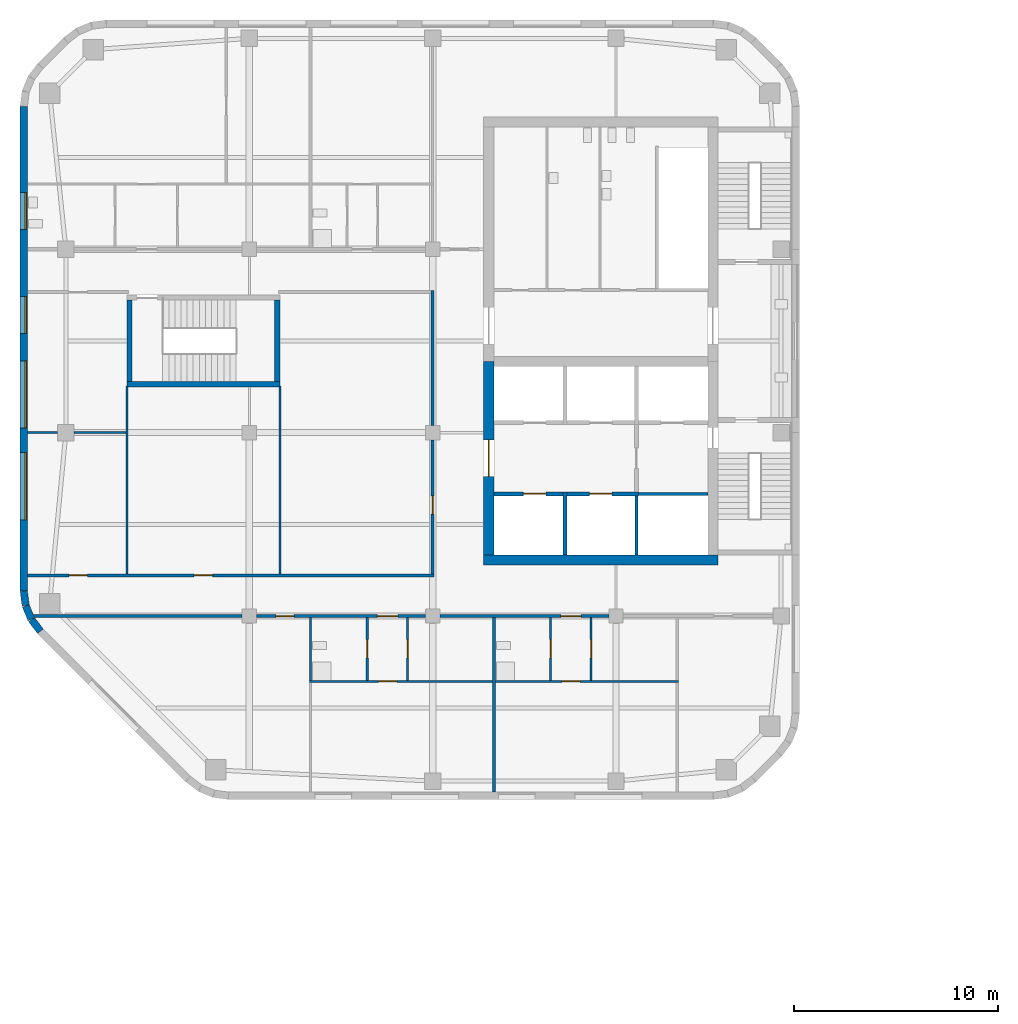
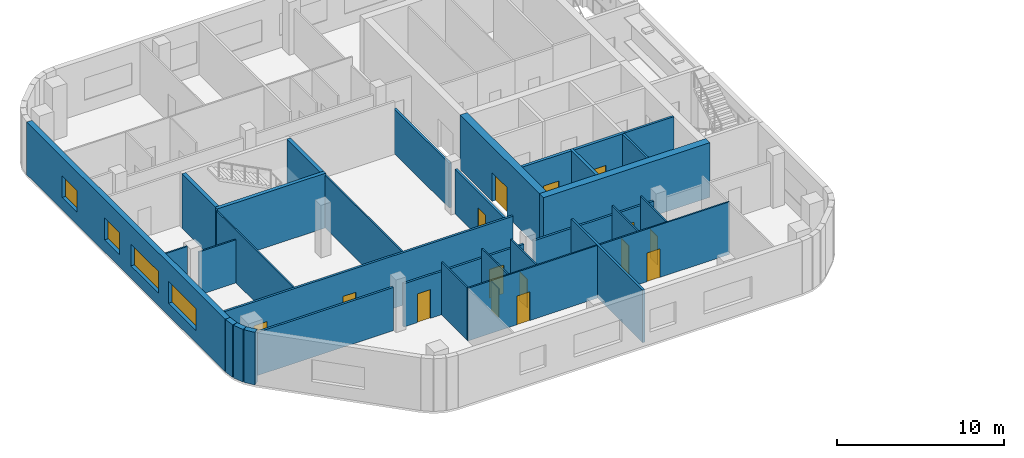
# One storey, part 5 of 15: 32 walls, 15 doors, 4 windows, 19 openings.
"""IFC4 building model written with IfcOpenShell, lengths in metres."""

import ifcopenshell
import ifcopenshell.guid

model = None  # the IFC model being written
_history = None  # IfcOwnerHistory: only IFC2X3 demands one
_inside = {}  # id of a spatial element -> (the spatial element, [elements in it])
_under = {}  # id of a project, library or spatial element -> (it, [spatial elements below it])
_declared = {}  # id of a project -> (the project, [libraries it declares])
_typed = {}  # id of a type object -> (the type object, [elements of that type])
_made_of = {}  # id of a material, layer set ... -> (it, [elements and type objects made of it])


def new_model(schema):
    """Start an empty IFC model of exactly this schema.

    Asked for "IFC4X3", IfcOpenShell would pick the latest addendum, in which some entities
    have other attributes; the version numbers below select the first issue.
    IFC2X3 requires an IfcOwnerHistory on every rooted entity: one is made here for all.
    """
    global model, _history
    if schema == "IFC4X3":
        model = ifcopenshell.file(schema_version=(4, 3, 0, 0))
    else:
        model = ifcopenshell.file(schema=schema)
    _inside.clear()
    _under.clear()
    _declared.clear()
    _typed.clear()
    _made_of.clear()
    _history = None
    if model.schema == "IFC2X3":
        org = make("IfcOrganization", Name="unknown")
        user = make(
            "IfcPersonAndOrganization",
            ThePerson=make("IfcPerson", FamilyName="unknown"),
            TheOrganization=org,
        )
        app = make(
            "IfcApplication",
            ApplicationDeveloper=org,
            Version="unknown",
            ApplicationFullName="unknown",
            ApplicationIdentifier="unknown",
        )
        _history = make(
            "IfcOwnerHistory",
            OwningUser=user,
            OwningApplication=app,
            ChangeAction="ADDED",
            CreationDate=0,
        )
    return model


def make(cls, **values):
    """One entity of the class cls with the attributes given. An attribute that is None is left unset."""
    return model.create_entity(
        cls, **{name: value for name, value in values.items() if value is not None}
    )


def rooted(cls, **values):
    """An entity with a GlobalId (a new one), such as an element, a storey or a relation."""
    return make(cls, GlobalId=ifcopenshell.guid.new(), OwnerHistory=_history, **values)


def si_unit(unit_type, name, prefix=None):
    """IfcSIUnit, for example si_unit("LENGTHUNIT", "METRE", prefix="MILLI")."""
    return make("IfcSIUnit", UnitType=unit_type, Prefix=prefix, Name=name)


def assignment(units):
    """IfcUnitAssignment: the units of a project."""
    return None if units is None else make("IfcUnitAssignment", Units=units)


def point(xyz):
    """IfcCartesianPoint."""
    return None if xyz is None else make("IfcCartesianPoint", Coordinates=xyz)


def direction(xyz):
    """IfcDirection."""
    return None if xyz is None else make("IfcDirection", DirectionRatios=xyz)


def frame(location, z_axis=None, x_axis=None):
    """IfcAxis2Placement3D, a coordinate frame: its origin and axes. An axis left out is left unset."""
    return make(
        "IfcAxis2Placement3D",
        Location=point(location),
        Axis=direction(z_axis),
        RefDirection=direction(x_axis),
    )


def frame_2d(location, x_axis=None):
    """IfcAxis2Placement2D, a coordinate frame in the plane: its origin and x axis."""
    return make(
        "IfcAxis2Placement2D", Location=point(location), RefDirection=direction(x_axis)
    )


def origin():
    """The frame at (0, 0, 0) with its axes left unset."""
    return frame((0.0, 0.0, 0.0))


def place(relative_to, where):
    """IfcLocalPlacement: puts the frame where relative to a parent placement (None: the world)."""
    return make(
        "IfcLocalPlacement", PlacementRelTo=relative_to, RelativePlacement=where
    )


def context(
    kind, dimensions, precision=None, world=None, true_north=None, identifier=None
):
    """IfcGeometricRepresentationContext, for example the 3D "Model" context."""
    return make(
        "IfcGeometricRepresentationContext",
        ContextIdentifier=identifier,
        ContextType=kind,
        CoordinateSpaceDimension=dimensions,
        Precision=precision,
        WorldCoordinateSystem=world,
        TrueNorth=true_north,
    )


def subcontext(parent, identifier, kind, view, scale=None):
    """IfcGeometricRepresentationSubContext, for example "Body" below "Model"."""
    return make(
        "IfcGeometricRepresentationSubContext",
        ContextIdentifier=identifier,
        ContextType=kind,
        ParentContext=parent,
        TargetScale=scale,
        TargetView=view,
    )


def project(units=None, contexts=None):
    """IfcProject with its units and contexts."""
    return rooted(
        "IfcProject",
        Name="project",
        RepresentationContexts=contexts,
        UnitsInContext=assignment(units),
    )


def spatial(cls, under=None, at=None, **own):
    """A site, building, storey or space (cls), placed at a placement, below another one or the project."""
    s = rooted(cls, ObjectPlacement=at, **own)
    if under is not None:
        _under.setdefault(under.id(), (under, []))[1].append(s)
    return s


def profile(cls, at=None, kind="AREA", **sizes):
    """A parametric profile (cls). Its sizes go by their IFC names, for example OverallWidth=200.0."""
    return make(cls, ProfileType=kind, Position=at, **sizes)


def rectangle(**sizes):
    """IfcRectangleProfileDef."""
    return profile("IfcRectangleProfileDef", **sizes)


def extrude(swept, where, along, depth):
    """IfcExtrudedAreaSolid: the profile swept, set in the frame where, extruded along a direction by depth."""
    return make(
        "IfcExtrudedAreaSolid",
        SweptArea=swept,
        Position=where,
        ExtrudedDirection=direction(along),
        Depth=depth,
    )


def shape(context_of_items, identifier, shape_type, items):
    """IfcShapeRepresentation: the items that make up one representation, for example the "Body"."""
    return make(
        "IfcShapeRepresentation",
        ContextOfItems=context_of_items,
        RepresentationIdentifier=identifier,
        RepresentationType=shape_type,
        Items=items,
    )


def material(Name=None, Category=None):
    """IfcMaterial."""
    return make("IfcMaterial", Name=Name, Category=Category)


def layer(
    of_material, thickness, ventilated=None, Name=None, Category=None, Priority=None
):
    """IfcMaterialLayer: one layer of a wall or slab, of a material (None: an air gap)."""
    return make(
        "IfcMaterialLayer",
        Material=of_material,
        LayerThickness=thickness,
        IsVentilated=ventilated,
        Name=Name,
        Category=Category,
        Priority=Priority,
    )


def layer_set(layers, Name=None):
    """IfcMaterialLayerSet."""
    return make("IfcMaterialLayerSet", MaterialLayers=layers, LayerSetName=Name)


def made_of(thing, what):
    """Note that an element or type object is made of a material, layer set ...; save() writes the relation."""
    if what is not None:
        _made_of.setdefault(what.id(), (what, []))[1].append(thing)
    return thing


def type_object(cls, material=None, **own):
    """A type object (cls), such as IfcWallType, which elements share."""
    return made_of(rooted(cls, **own), material)


def element(
    cls,
    number,
    at=None,
    inside=None,
    cuts=None,
    type_object=None,
    material=None,
    context=None,
    identifier="Body",
    shape_type=None,
    held_by="IfcProductDefinitionShape",
    body=None,
    shapes=None,
    **own,
):
    """One element of the class cls, such as IfcWall. Its Tag is "e" and its number.

    at: its placement. inside: the storey or other place that contains it. cuts: it is an
    opening in that element (IfcRelVoidsElement). A single representation is given by context,
    identifier, shape_type and body (its items); several are given by shapes. held_by: the class
    of the entity that holds the representations. save() writes the other relations.
    """
    e = rooted(cls, Tag="e%d" % number, ObjectPlacement=at, **own)
    if body is not None:
        shapes = [shape(context, identifier, shape_type, body)]
    if shapes is not None:
        e.Representation = make(held_by, Representations=shapes)
    if inside is not None:
        _inside.setdefault(inside.id(), (inside, []))[1].append(e)
    if cuts is not None:
        rooted(
            "IfcRelVoidsElement", RelatingBuildingElement=cuts, RelatedOpeningElement=e
        )
    if type_object is not None:
        _typed.setdefault(type_object.id(), (type_object, []))[1].append(e)
    return made_of(e, material)


def fill(opening, filler):
    """IfcRelFillsElement: the door or window that sits in an opening."""
    return rooted(
        "IfcRelFillsElement",
        RelatingOpeningElement=opening,
        RelatedBuildingElement=filler,
    )


def aggregate(whole, parts):
    """IfcRelAggregates: a whole, such as a stair, and the parts it consists of."""
    return rooted("IfcRelAggregates", RelatingObject=whole, RelatedObjects=parts)


def save(model, path):
    """Write the relations noted so far, then the file.

    IfcRelAggregates (storeys below a building ...), IfcRelContainedInSpatialStructure (elements
    in a storey), IfcRelDefinesByType, IfcRelAssociatesMaterial and IfcRelDeclares: one each for
    every whole, place, type object, material and project.
    """
    for whole, parts in _under.values():
        aggregate(whole, parts)
    for where, things in _inside.values():
        rooted(
            "IfcRelContainedInSpatialStructure",
            RelatedElements=things,
            RelatingStructure=where,
        )
    for kind, things in _typed.values():
        rooted("IfcRelDefinesByType", RelatedObjects=things, RelatingType=kind)
    for what, things in _made_of.values():
        rooted("IfcRelAssociatesMaterial", RelatedObjects=things, RelatingMaterial=what)
    for by, libraries in _declared.values():
        rooted("IfcRelDeclares", RelatingContext=by, RelatedDefinitions=libraries)
    model.write(path)


model = new_model("IFC4")

# Units and contexts
model_context = context("Model", 3, precision=1e-05, world=origin(), true_north=direction((0.0, 1.0)))
body_context = subcontext(model_context, "Body", "Model", "MODEL_VIEW")
ifc_project = project(units=[si_unit("LENGTHUNIT", "METRE"), si_unit("AREAUNIT", "SQUARE_METRE"), si_unit("VOLUMEUNIT", "CUBIC_METRE"), si_unit("PLANEANGLEUNIT", "RADIAN"), si_unit("MASSUNIT", "GRAM", prefix="KILO")], contexts=[model_context])

# Site, building, storey
site_placement = place(None, origin())
site = spatial("IfcSite", under=ifc_project, at=site_placement, CompositionType="ELEMENT")
building_placement = place(site_placement, origin())
building = spatial("IfcBuilding", under=site, at=building_placement, Name="Cinnabar Reach Civic Tower", CompositionType="ELEMENT")
storey_placement = place(building_placement, frame((0.0, 0.0, 67.0)))
storey = spatial("IfcBuildingStorey", under=building, at=storey_placement, Name="L15", CompositionType="ELEMENT", Elevation=67.0)

# Walls
ifc_material_1 = material(Name="Facing brick with insulated backing", Category="masonry")
ifc_layer_1 = layer(ifc_material_1, 0.36)
ifc_layer_set_1 = layer_set([ifc_layer_1], Name="Brick corner wall")
wall_type_1 = type_object("IfcWallType", Name="Brick corner wall", PredefinedType="STANDARD", material=ifc_layer_set_1)
for number, where, z_axis, x_axis, name in (
    (1, (-65.067, 19.2314, 0.0), (0.0, 0.0, 1.0), (0.13055608231, -0.99144092581, 0.0), "Brick corner wall"),
    (2, (-64.9681, 18.5027, 0.0), (0.0, 0.0, 1.0), (0.382702709855, -0.923871547278, 0.0), "Brick corner wall"),
):
    element("IfcWall", number, at=place(storey_placement, frame(where, z_axis=z_axis, x_axis=x_axis)), inside=storey, type_object=wall_type_1, Name=name, PredefinedType="STANDARD", context=body_context, shape_type="SweptSolid", body=[
        extrude(rectangle(XDim=0.7131, YDim=0.36, at=frame_2d((0.3565, 0.0))), origin(), (0.0, 0.0, 1.0), 3.85),
    ])
wall_1_placement = place(storey_placement, frame((-64.684, 17.8245, 0.0), z_axis=(0.0, 0.0, 1.0), x_axis=(0.608802368033, -0.793321924995, 0.0)))
element("IfcWall", 3, at=wall_1_placement, inside=storey, type_object=wall_type_1, Name="Brick corner wall", PredefinedType="STANDARD", context=body_context, shape_type="SweptSolid", body=[
    extrude(rectangle(XDim=0.7132, YDim=0.36, at=frame_2d((0.3566, 0.0))), origin(), (0.0, 0.0, 1.0), 3.85),
])

# Wall, openings, windows
ifc_layer_2 = layer(ifc_material_1, 0.36)
ifc_layer_set_2 = layer_set([ifc_layer_2], Name="Brick pier and spandrel wall")
wall_type_2 = type_object("IfcWallType", Name="Brick pier and spandrel wall", PredefinedType="STANDARD", material=ifc_layer_set_2)
wall_2_placement = place(storey_placement, frame((-65.07, 43.0074, 0.0), z_axis=(0.0, 0.0, 1.0), x_axis=(0.0, -1.0, 0.0)))
wall_2 = element("IfcWall", 4, at=wall_2_placement, inside=storey, type_object=wall_type_2, Name="Brick facade wall", PredefinedType="STANDARD", context=body_context, shape_type="SweptSolid", body=[
    extrude(rectangle(XDim=23.7648, YDim=0.36, at=frame_2d((11.8824, 0.0))), origin(), (0.0, 0.0, 1.0), 3.85),
])
opening_1_placement = place(wall_2_placement, frame((4.2324, 0.0, 0.9)))
opening_1 = element("IfcOpeningElement", 5, at=opening_1_placement, cuts=wall_2, Name="Opening W2563", PredefinedType="OPENING", context=body_context, shape_type="SweptSolid", body=[
    extrude(rectangle(XDim=1.8, YDim=1.6, at=frame_2d((0.9, 0.8))), frame((0.0, 0.19, 0.0), z_axis=(0.0, -1.0, 0.0), x_axis=(1.0, 0.0, 0.0)), (0.0, 0.0, 1.0), 0.38),
])
opening_2_placement = place(wall_2_placement, frame((9.3324, 0.0, 0.9)))
opening_2 = element("IfcOpeningElement", 6, at=opening_2_placement, cuts=wall_2, Name="Opening W2564", PredefinedType="OPENING", context=body_context, shape_type="SweptSolid", body=[
    extrude(rectangle(XDim=1.8, YDim=1.6, at=frame_2d((0.9, 0.8))), frame((0.0, 0.19, 0.0), z_axis=(0.0, -1.0, 0.0), x_axis=(1.0, 0.0, 0.0)), (0.0, 0.0, 1.0), 0.38),
])
opening_3_placement = place(wall_2_placement, frame((12.4824, 0.0, 0.9)))
opening_3 = element("IfcOpeningElement", 7, at=opening_3_placement, cuts=wall_2, Name="Opening W2565", PredefinedType="OPENING", context=body_context, shape_type="SweptSolid", body=[
    extrude(rectangle(XDim=3.3, YDim=1.6, at=frame_2d((1.65, 0.8))), frame((0.0, 0.19, 0.0), z_axis=(0.0, -1.0, 0.0), x_axis=(1.0, 0.0, 0.0)), (0.0, 0.0, 1.0), 0.38),
])
opening_4_placement = place(wall_2_placement, frame((16.9824, 0.0, 0.9)))
opening_4 = element("IfcOpeningElement", 8, at=opening_4_placement, cuts=wall_2, Name="Opening W2566", PredefinedType="OPENING", context=body_context, shape_type="SweptSolid", body=[
    extrude(rectangle(XDim=3.3, YDim=1.6, at=frame_2d((1.65, 0.8))), frame((0.0, 0.19, 0.0), z_axis=(0.0, -1.0, 0.0), x_axis=(1.0, 0.0, 0.0)), (0.0, 0.0, 1.0), 0.38),
])
ifc_material_2 = material(Name="Clear double glazing in aluminium frame", Category="aluminium")
window_type_1 = type_object("IfcWindowType", Name="Deep-set window A", PartitioningType="SINGLE_PANEL", PredefinedType="WINDOW", material=ifc_material_2)
window_1_placement = place(opening_3_placement, origin())
window_1 = element("IfcWindow", 9, at=window_1_placement, inside=storey, type_object=window_type_1, Name="Window west face", OverallHeight=1.6, OverallWidth=3.3, PartitioningType="SINGLE_PANEL", PredefinedType="WINDOW", context=body_context, shape_type="SweptSolid", body=[
    extrude(rectangle(XDim=3.3, YDim=1.6, at=frame_2d((1.65, 0.8))), frame((0.0, 0.13, 0.0), z_axis=(0.0, -1.0, 0.0), x_axis=(1.0, 0.0, 0.0)), (0.0, 0.0, 1.0), 0.06),
])
fill(opening_3, window_1)
window_2_placement = place(opening_4_placement, origin())
window_2 = element("IfcWindow", 10, at=window_2_placement, inside=storey, type_object=window_type_1, Name="Window west face", OverallHeight=1.6, OverallWidth=3.3, PartitioningType="SINGLE_PANEL", PredefinedType="WINDOW", context=body_context, shape_type="SweptSolid", body=[
    extrude(rectangle(XDim=3.3, YDim=1.6, at=frame_2d((1.65, 0.8))), frame((0.0, 0.13, 0.0), z_axis=(0.0, -1.0, 0.0), x_axis=(1.0, 0.0, 0.0)), (0.0, 0.0, 1.0), 0.06),
])
fill(opening_4, window_2)
window_type_2 = type_object("IfcWindowType", Name="Deep-set window D", PartitioningType="SINGLE_PANEL", PredefinedType="WINDOW", material=ifc_material_2)
window_3_placement = place(opening_1_placement, origin())
window_3 = element("IfcWindow", 11, at=window_3_placement, inside=storey, type_object=window_type_2, Name="Window west face", OverallHeight=1.6, OverallWidth=1.8, PartitioningType="SINGLE_PANEL", PredefinedType="WINDOW", context=body_context, shape_type="SweptSolid", body=[
    extrude(rectangle(XDim=1.8, YDim=1.6, at=frame_2d((0.9, 0.8))), frame((0.0, 0.13, 0.0), z_axis=(0.0, -1.0, 0.0), x_axis=(1.0, 0.0, 0.0)), (0.0, 0.0, 1.0), 0.06),
])
fill(opening_1, window_3)
window_4_placement = place(opening_2_placement, origin())
window_4 = element("IfcWindow", 12, at=window_4_placement, inside=storey, type_object=window_type_2, Name="Window west face", OverallHeight=1.6, OverallWidth=1.8, PartitioningType="SINGLE_PANEL", PredefinedType="WINDOW", context=body_context, shape_type="SweptSolid", body=[
    extrude(rectangle(XDim=1.8, YDim=1.6, at=frame_2d((0.9, 0.8))), frame((0.0, 0.13, 0.0), z_axis=(0.0, -1.0, 0.0), x_axis=(1.0, 0.0, 0.0)), (0.0, 0.0, 1.0), 0.06),
])
fill(opening_2, window_4)

# Wall
ifc_material_3 = material(Name="Concrete C60", Category="concrete")
ifc_layer_3 = layer(ifc_material_3, 0.5)
ifc_layer_set_3 = layer_set([ifc_layer_3], Name="Core wall 500 EI 180")
wall_type_3 = type_object("IfcWallType", Name="Core wall 500 EI 180", PredefinedType="SOLIDWALL", material=ifc_layer_set_3)
wall_3_placement = place(storey_placement, frame((-42.5, 20.75, 0.0), z_axis=(0.0, 0.0, 1.0), x_axis=(1.0, 0.0, 0.0)))
element("IfcWall", 13, at=wall_3_placement, inside=storey, type_object=wall_type_3, Name="Core wall T2 L15 S", PredefinedType="SOLIDWALL", context=body_context, shape_type="SweptSolid", body=[
    extrude(rectangle(XDim=11.5, YDim=0.5, at=frame_2d((5.75, 0.0))), origin(), (0.0, 0.0, 1.0), 4.0),
])

# Wall, opening, door
wall_4_placement = place(storey_placement, frame((-42.25, 30.5, 0.0), z_axis=(0.0, 0.0, 1.0), x_axis=(0.0, -1.0, 0.0)))
wall_4 = element("IfcWall", 14, at=wall_4_placement, inside=storey, type_object=wall_type_3, Name="Core wall T2 L15 W2", PredefinedType="SOLIDWALL", context=body_context, shape_type="SweptSolid", body=[
    extrude(rectangle(XDim=9.5, YDim=0.5, at=frame_2d((4.75, 0.0))), origin(), (0.0, 0.0, 1.0), 4.0),
])
opening_5_placement = place(wall_4_placement, frame((3.85, 0.0, 0.0)))
opening_5 = element("IfcOpeningElement", 15, at=opening_5_placement, cuts=wall_4, Name="Opening D6570", PredefinedType="OPENING", context=body_context, shape_type="SweptSolid", body=[
    extrude(rectangle(XDim=1.8, YDim=2.1, at=frame_2d((0.9, 1.05))), frame((0.0, 0.26, 0.0), z_axis=(0.0, -1.0, 0.0), x_axis=(1.0, 0.0, 0.0)), (0.0, 0.0, 1.0), 0.52),
])
ifc_material_4 = material(Name="Steel fire door", Category="steel")
door_type_1 = type_object("IfcDoorType", Name="T2 Double door 1800", OperationType="DOUBLE_DOOR_SINGLE_SWING", PredefinedType="DOOR", material=ifc_material_4)
door_1_placement = place(opening_5_placement, origin())
door_1 = element("IfcDoor", 16, at=door_1_placement, inside=storey, type_object=door_type_1, Name="T2 Double door D6570", OperationType="DOUBLE_DOOR_SINGLE_SWING", OverallHeight=2.1, OverallWidth=1.8, PredefinedType="DOOR", context=body_context, shape_type="SweptSolid", body=[
    extrude(rectangle(XDim=1.8, YDim=2.1, at=frame_2d((0.9, 1.05))), frame((0.0, 0.025, 0.0), z_axis=(0.0, -1.0, 0.0), x_axis=(1.0, 0.0, 0.0)), (0.0, 0.0, 1.0), 0.05),
])
fill(opening_5, door_1)

ifc_material_5 = material(Name="Gypsum board on steel studs, double layer", Category="steel")
ifc_layer_4 = layer(ifc_material_5, 0.15)
ifc_layer_set_4 = layer_set([ifc_layer_4], Name="Corridor wall 150 T2")
wall_type_4 = type_object("IfcWallType", Name="Corridor wall 150 T2", PredefinedType="PARTITIONING", material=ifc_layer_set_4)
wall_5_placement = place(storey_placement, frame((-44.65, 18.0, 0.0), z_axis=(0.0, 0.0, 1.0), x_axis=(1.0, 0.0, 0.0)))
wall_5 = element("IfcWall", 17, at=wall_5_placement, inside=storey, type_object=wall_type_4, Name="Corridor wall 2", PredefinedType="PARTITIONING", context=body_context, shape_type="SweptSolid", body=[
    extrude(rectangle(XDim=8.3, YDim=0.15, at=frame_2d((4.15, 0.0))), origin(), (0.0, 0.0, 1.0), 3.158),
])
opening_6_placement = place(wall_5_placement, frame((5.94, 0.0, 0.0)))
opening_6 = element("IfcOpeningElement", 18, at=opening_6_placement, cuts=wall_5, Name="Opening D6584", PredefinedType="OPENING", context=body_context, shape_type="SweptSolid", body=[
    extrude(rectangle(XDim=1.0, YDim=2.1, at=frame_2d((0.5, 1.05))), frame((0.0, 0.085, 0.0), z_axis=(0.0, -1.0, 0.0), x_axis=(1.0, 0.0, 0.0)), (0.0, 0.0, 1.0), 0.17),
])
ifc_material_6 = material(Name="Timber door leaf in steel frame", Category="steel")
door_type_2 = type_object("IfcDoorType", Name="Tenancy entrance door 1000 x 2100 T2", OperationType="SINGLE_SWING_LEFT", PredefinedType="DOOR", material=ifc_material_6)
door_2_placement = place(opening_6_placement, frame((1.0, 0.0, 0.0), z_axis=(0.0, 0.0, 1.0), x_axis=(-1.0, 0.0, 0.0)))
door_2 = element("IfcDoor", 19, at=door_2_placement, inside=storey, type_object=door_type_2, Name="Door D6584", OperationType="SINGLE_SWING_LEFT", OverallHeight=2.1, OverallWidth=1.0, PredefinedType="DOOR", context=body_context, shape_type="SweptSolid", body=[
    extrude(rectangle(XDim=1.0, YDim=2.1, at=frame_2d((0.5, 1.05))), frame((0.0, 0.025, 0.0), z_axis=(0.0, -1.0, 0.0), x_axis=(1.0, 0.0, 0.0)), (0.0, 0.0, 1.0), 0.05),
])
fill(opening_6, door_2)

# Wall, openings, doors
wall_6_placement = place(storey_placement, frame((-53.65, 18.0, 0.0), z_axis=(0.0, 0.0, 1.0), x_axis=(1.0, 0.0, 0.0)))
wall_6 = element("IfcWall", 20, at=wall_6_placement, inside=storey, type_object=wall_type_4, Name="Corridor wall 3", PredefinedType="PARTITIONING", context=body_context, shape_type="SweptSolid", body=[
    extrude(rectangle(XDim=8.3, YDim=0.15, at=frame_2d((4.15, 0.0))), origin(), (0.0, 0.0, 1.0), 3.158),
])
opening_7_placement = place(wall_6_placement, frame((0.95, 0.0, 0.0)))
opening_7 = element("IfcOpeningElement", 21, at=opening_7_placement, cuts=wall_6, Name="Opening D6576", PredefinedType="OPENING", context=body_context, shape_type="SweptSolid", body=[
    extrude(rectangle(XDim=0.9, YDim=2.1, at=frame_2d((0.45, 1.05))), frame((0.0, 0.085, 0.0), z_axis=(0.0, -1.0, 0.0), x_axis=(1.0, 0.0, 0.0)), (0.0, 0.0, 1.0), 0.17),
])
opening_8_placement = place(wall_6_placement, frame((5.94, 0.0, 0.0)))
opening_8 = element("IfcOpeningElement", 22, at=opening_8_placement, cuts=wall_6, Name="Opening D6580", PredefinedType="OPENING", context=body_context, shape_type="SweptSolid", body=[
    extrude(rectangle(XDim=1.0, YDim=2.1, at=frame_2d((0.5, 1.05))), frame((0.0, 0.085, 0.0), z_axis=(0.0, -1.0, 0.0), x_axis=(1.0, 0.0, 0.0)), (0.0, 0.0, 1.0), 0.17),
])
door_type_3 = type_object("IfcDoorType", Name="Single swing door 900 x 2100 T2", OperationType="SINGLE_SWING_LEFT", PredefinedType="DOOR", material=ifc_material_6)
door_3_placement = place(opening_7_placement, frame((0.9, 0.0, 0.0), z_axis=(0.0, 0.0, 1.0), x_axis=(-1.0, 0.0, 0.0)))
door_3 = element("IfcDoor", 23, at=door_3_placement, inside=storey, type_object=door_type_3, Name="Door D6576", OperationType="SINGLE_SWING_LEFT", OverallHeight=2.1, OverallWidth=0.9, PredefinedType="DOOR", context=body_context, shape_type="SweptSolid", body=[
    extrude(rectangle(XDim=0.9, YDim=2.1, at=frame_2d((0.45, 1.05))), frame((0.0, 0.025, 0.0), z_axis=(0.0, -1.0, 0.0), x_axis=(1.0, 0.0, 0.0)), (0.0, 0.0, 1.0), 0.05),
])
fill(opening_7, door_3)
door_4_placement = place(opening_8_placement, frame((1.0, 0.0, 0.0), z_axis=(0.0, 0.0, 1.0), x_axis=(-1.0, 0.0, 0.0)))
door_4 = element("IfcDoor", 24, at=door_4_placement, inside=storey, type_object=door_type_2, Name="Door D6580", OperationType="SINGLE_SWING_LEFT", OverallHeight=2.1, OverallWidth=1.0, PredefinedType="DOOR", context=body_context, shape_type="SweptSolid", body=[
    extrude(rectangle(XDim=1.0, YDim=2.1, at=frame_2d((0.5, 1.05))), frame((0.0, 0.025, 0.0), z_axis=(0.0, -1.0, 0.0), x_axis=(1.0, 0.0, 0.0)), (0.0, 0.0, 1.0), 0.05),
])
fill(opening_8, door_4)

# Wall
wall_7_placement = place(storey_placement, frame((-64.5961, 18.0, 0.0), z_axis=(0.0, 0.0, 1.0), x_axis=(1.0, 0.0, 0.0)))
element("IfcWall", 25, at=wall_7_placement, inside=storey, type_object=wall_type_4, Name="Corridor wall 4", PredefinedType="PARTITIONING", context=body_context, shape_type="SweptSolid", body=[
    extrude(rectangle(XDim=10.2461, YDim=0.15, at=frame_2d((5.1231, 0.0))), origin(), (0.0, 0.0, 1.0), 3.158),
])

# Wall, openings, doors
wall_8_placement = place(storey_placement, frame((-64.89, 20.0, 0.0), z_axis=(0.0, 0.0, 1.0), x_axis=(1.0, 0.0, 0.0)))
wall_8 = element("IfcWall", 26, at=wall_8_placement, inside=storey, type_object=wall_type_4, Name="Corridor wall 9", PredefinedType="PARTITIONING", context=body_context, shape_type="SweptSolid", body=[
    extrude(rectangle(XDim=19.965, YDim=0.15, at=frame_2d((9.9825, 0.0))), origin(), (0.0, 0.0, 1.0), 3.85),
])
opening_9_placement = place(wall_8_placement, frame((2.05, 0.0, 0.0)))
opening_9 = element("IfcOpeningElement", 27, at=opening_9_placement, cuts=wall_8, Name="Opening D6595", PredefinedType="OPENING", context=body_context, shape_type="SweptSolid", body=[
    extrude(rectangle(XDim=0.9, YDim=2.1, at=frame_2d((0.45, 1.05))), frame((0.0, 0.085, 0.0), z_axis=(0.0, -1.0, 0.0), x_axis=(1.0, 0.0, 0.0)), (0.0, 0.0, 1.0), 0.17),
])
opening_10_placement = place(wall_8_placement, frame((8.19, 0.0, 0.0)))
opening_10 = element("IfcOpeningElement", 28, at=opening_10_placement, cuts=wall_8, Name="Opening D6597", PredefinedType="OPENING", context=body_context, shape_type="SweptSolid", body=[
    extrude(rectangle(XDim=0.9, YDim=2.1, at=frame_2d((0.45, 1.05))), frame((0.0, 0.085, 0.0), z_axis=(0.0, -1.0, 0.0), x_axis=(1.0, 0.0, 0.0)), (0.0, 0.0, 1.0), 0.17),
])
door_5_placement = place(opening_9_placement, origin())
door_5 = element("IfcDoor", 29, at=door_5_placement, inside=storey, type_object=door_type_3, Name="Door D6595", OperationType="SINGLE_SWING_LEFT", OverallHeight=2.1, OverallWidth=0.9, PredefinedType="DOOR", context=body_context, shape_type="SweptSolid", body=[
    extrude(rectangle(XDim=0.9, YDim=2.1, at=frame_2d((0.45, 1.05))), frame((0.0, 0.025, 0.0), z_axis=(0.0, -1.0, 0.0), x_axis=(1.0, 0.0, 0.0)), (0.0, 0.0, 1.0), 0.05),
])
fill(opening_9, door_5)
door_6_placement = place(opening_10_placement, origin())
door_6 = element("IfcDoor", 30, at=door_6_placement, inside=storey, type_object=door_type_3, Name="Door D6597", OperationType="SINGLE_SWING_LEFT", OverallHeight=2.1, OverallWidth=0.9, PredefinedType="DOOR", context=body_context, shape_type="SweptSolid", body=[
    extrude(rectangle(XDim=0.9, YDim=2.1, at=frame_2d((0.45, 1.05))), frame((0.0, 0.025, 0.0), z_axis=(0.0, -1.0, 0.0), x_axis=(1.0, 0.0, 0.0)), (0.0, 0.0, 1.0), 0.05),
])
fill(opening_10, door_6)

# Wall, opening, door
wall_9_placement = place(storey_placement, frame((-45.0, 20.075, 0.0), z_axis=(0.0, 0.0, 1.0), x_axis=(0.0, 1.0, 0.0)))
wall_9 = element("IfcWall", 31, at=wall_9_placement, inside=storey, type_object=wall_type_4, Name="Corridor wall 10", PredefinedType="PARTITIONING", context=body_context, shape_type="SweptSolid", body=[
    extrude(rectangle(XDim=6.575, YDim=0.15, at=frame_2d((3.2875, 0.0))), origin(), (0.0, 0.0, 1.0), 3.256),
])
opening_11_placement = place(wall_9_placement, frame((2.925, 0.0, 0.0)))
opening_11 = element("IfcOpeningElement", 32, at=opening_11_placement, cuts=wall_9, Name="Opening D6598", PredefinedType="OPENING", context=body_context, shape_type="SweptSolid", body=[
    extrude(rectangle(XDim=0.9, YDim=2.1, at=frame_2d((0.45, 1.05))), frame((0.0, 0.085, 0.0), z_axis=(0.0, -1.0, 0.0), x_axis=(1.0, 0.0, 0.0)), (0.0, 0.0, 1.0), 0.17),
])
door_7_placement = place(opening_11_placement, origin())
door_7 = element("IfcDoor", 33, at=door_7_placement, inside=storey, type_object=door_type_3, Name="Door D6598", OperationType="SINGLE_SWING_RIGHT", OverallHeight=2.1, OverallWidth=0.9, PredefinedType="DOOR", context=body_context, shape_type="SweptSolid", body=[
    extrude(rectangle(XDim=0.9, YDim=2.1, at=frame_2d((0.45, 1.05))), frame((0.0, 0.025, 0.0), z_axis=(0.0, -1.0, 0.0), x_axis=(1.0, 0.0, 0.0)), (0.0, 0.0, 1.0), 0.05),
])
fill(opening_11, door_7)

# Wall
wall_10_placement = place(storey_placement, frame((-45.0, 27.35, 0.0), z_axis=(0.0, 0.0, 1.0), x_axis=(0.0, 1.0, 0.0)))
element("IfcWall", 34, at=wall_10_placement, inside=storey, type_object=wall_type_4, Name="Corridor wall 11", PredefinedType="PARTITIONING", context=body_context, shape_type="SweptSolid", body=[
    extrude(rectangle(XDim=6.625, YDim=0.15, at=frame_2d((3.3125, 0.0))), origin(), (0.0, 0.0, 1.0), 3.256),
])

# Wall, opening, door
ifc_material_7 = material(Name="Gypsum board on steel studs", Category="steel")
ifc_layer_5 = layer(ifc_material_7, 0.1)
ifc_layer_set_5 = layer_set([ifc_layer_5], Name="Partition wall 100 T2")
wall_type_5 = type_object("IfcWallType", Name="Partition wall 100 T2", PredefinedType="PARTITIONING", material=ifc_layer_set_5)
wall_11_placement = place(storey_placement, frame((-51.05, 14.8, 0.0), z_axis=(0.0, 0.0, 1.0), x_axis=(1.0, 0.0, 0.0)))
wall_11 = element("IfcWall", 35, at=wall_11_placement, inside=storey, type_object=wall_type_5, Name="Partition wall 18", PredefinedType="PARTITIONING", context=body_context, shape_type="SweptSolid", body=[
    extrude(rectangle(XDim=8.975, YDim=0.1, at=frame_2d((4.4875, 0.0))), origin(), (0.0, 0.0, 1.0), 3.85),
])
opening_12_placement = place(wall_11_placement, frame((3.39, 0.0, 0.0)))
opening_12 = element("IfcOpeningElement", 36, at=opening_12_placement, cuts=wall_11, Name="Opening D6579", PredefinedType="OPENING", context=body_context, shape_type="SweptSolid", body=[
    extrude(rectangle(XDim=0.9, YDim=2.1, at=frame_2d((0.45, 1.05))), frame((0.0, 0.06, 0.0), z_axis=(0.0, -1.0, 0.0), x_axis=(1.0, 0.0, 0.0)), (0.0, 0.0, 1.0), 0.12),
])
door_8_placement = place(opening_12_placement, origin())
door_8 = element("IfcDoor", 37, at=door_8_placement, inside=storey, type_object=door_type_3, Name="Door D6579", OperationType="SINGLE_SWING_RIGHT", OverallHeight=2.1, OverallWidth=0.9, PredefinedType="DOOR", context=body_context, shape_type="SweptSolid", body=[
    extrude(rectangle(XDim=0.9, YDim=2.1, at=frame_2d((0.45, 1.05))), frame((0.0, 0.025, 0.0), z_axis=(0.0, -1.0, 0.0), x_axis=(1.0, 0.0, 0.0)), (0.0, 0.0, 1.0), 0.05),
])
fill(opening_12, door_8)

wall_12_placement = place(storey_placement, frame((-41.925, 14.8, 0.0), z_axis=(0.0, 0.0, 1.0), x_axis=(1.0, 0.0, 0.0)))
wall_12 = element("IfcWall", 38, at=wall_12_placement, inside=storey, type_object=wall_type_5, Name="Partition wall 19", PredefinedType="PARTITIONING", context=body_context, shape_type="SweptSolid", body=[
    extrude(rectangle(XDim=8.975, YDim=0.1, at=frame_2d((4.4875, 0.0))), origin(), (0.0, 0.0, 1.0), 3.85),
])
opening_13_placement = place(wall_12_placement, frame((3.265, 0.0, 0.0)))
opening_13 = element("IfcOpeningElement", 39, at=opening_13_placement, cuts=wall_12, Name="Opening D6583", PredefinedType="OPENING", context=body_context, shape_type="SweptSolid", body=[
    extrude(rectangle(XDim=0.9, YDim=2.1, at=frame_2d((0.45, 1.05))), frame((0.0, 0.06, 0.0), z_axis=(0.0, -1.0, 0.0), x_axis=(1.0, 0.0, 0.0)), (0.0, 0.0, 1.0), 0.12),
])
door_9_placement = place(opening_13_placement, origin())
door_9 = element("IfcDoor", 40, at=door_9_placement, inside=storey, type_object=door_type_3, Name="Door D6583", OperationType="SINGLE_SWING_RIGHT", OverallHeight=2.1, OverallWidth=0.9, PredefinedType="DOOR", context=body_context, shape_type="SweptSolid", body=[
    extrude(rectangle(XDim=0.9, YDim=2.1, at=frame_2d((0.45, 1.05))), frame((0.0, 0.025, 0.0), z_axis=(0.0, -1.0, 0.0), x_axis=(1.0, 0.0, 0.0)), (0.0, 0.0, 1.0), 0.05),
])
fill(opening_13, door_9)

# Walls
for number, where, z_axis, x_axis, name in (
    (41, (-60.0, 20.075, 0.0), (0.0, 0.0, 1.0), (0.0, 1.0, 0.0), "Partition wall 22"),
    (42, (-52.5, 20.075, 0.0), (0.0, 0.0, 1.0), (0.0, 1.0, 0.0), "Partition wall 23"),
):
    element("IfcWall", number, at=place(storey_placement, frame(where, z_axis=z_axis, x_axis=x_axis)), inside=storey, type_object=wall_type_5, Name=name, PredefinedType="PARTITIONING", context=body_context, shape_type="SweptSolid", body=[
        extrude(rectangle(XDim=9.225, YDim=0.1, at=frame_2d((4.6125, 0.0))), origin(), (0.0, 0.0, 1.0), 3.85),
    ])
wall_13_placement = place(storey_placement, frame((-51.0, 14.85, 0.0), z_axis=(0.0, 0.0, 1.0), x_axis=(0.0, 1.0, 0.0)))
element("IfcWall", 43, at=wall_13_placement, inside=storey, type_object=wall_type_5, Name="Partition wall 24", PredefinedType="PARTITIONING", context=body_context, shape_type="SweptSolid", body=[
    extrude(rectangle(XDim=3.075, YDim=0.1, at=frame_2d((1.5375, 0.0))), origin(), (0.0, 0.0, 1.0), 3.85),
])
wall_14_placement = place(storey_placement, frame((-62.6, 27.0, 0.0), z_axis=(0.0, 0.0, 1.0), x_axis=(1.0, 0.0, 0.0)))
element("IfcWall", 44, at=wall_14_placement, inside=storey, type_object=wall_type_5, Name="Partition wall 29", PredefinedType="PARTITIONING", context=body_context, shape_type="SweptSolid", body=[
    extrude(rectangle(XDim=2.55, YDim=0.1, at=frame_2d((1.275, 0.0))), origin(), (0.0, 0.0, 1.0), 3.158),
])
wall_15_placement = place(storey_placement, frame((-64.89, 27.0, 0.0), z_axis=(0.0, 0.0, 1.0), x_axis=(1.0, 0.0, 0.0)))
element("IfcWall", 45, at=wall_15_placement, inside=storey, type_object=wall_type_5, Name="Partition wall 30", PredefinedType="PARTITIONING", context=body_context, shape_type="SweptSolid", body=[
    extrude(rectangle(XDim=1.49, YDim=0.1, at=frame_2d((0.745, 0.0))), origin(), (0.0, 0.0, 1.0), 3.85),
])

# Wall, opening, door
wall_16_placement = place(storey_placement, frame((-48.21, 14.85, 0.0), z_axis=(0.0, 0.0, 1.0), x_axis=(0.0, 1.0, 0.0)))
wall_16 = element("IfcWall", 46, at=wall_16_placement, inside=storey, type_object=wall_type_5, Name="Partition wall 35", PredefinedType="PARTITIONING", context=body_context, shape_type="SweptSolid", body=[
    extrude(rectangle(XDim=3.075, YDim=0.1, at=frame_2d((1.5375, 0.0))), origin(), (0.0, 0.0, 1.0), 3.85),
])
opening_14_placement = place(wall_16_placement, frame((1.1, 0.0, 0.0)))
opening_14 = element("IfcOpeningElement", 47, at=opening_14_placement, cuts=wall_16, Name="Opening D6577", PredefinedType="OPENING", context=body_context, shape_type="SweptSolid", body=[
    extrude(rectangle(XDim=0.9, YDim=2.1, at=frame_2d((0.45, 1.05))), frame((0.0, 0.06, 0.0), z_axis=(0.0, -1.0, 0.0), x_axis=(1.0, 0.0, 0.0)), (0.0, 0.0, 1.0), 0.12),
])
door_10_placement = place(opening_14_placement, origin())
door_10 = element("IfcDoor", 48, at=door_10_placement, inside=storey, type_object=door_type_3, Name="Door D6577", OperationType="SINGLE_SWING_RIGHT", OverallHeight=2.1, OverallWidth=0.9, PredefinedType="DOOR", context=body_context, shape_type="SweptSolid", body=[
    extrude(rectangle(XDim=0.9, YDim=2.1, at=frame_2d((0.45, 1.05))), frame((0.0, 0.025, 0.0), z_axis=(0.0, -1.0, 0.0), x_axis=(1.0, 0.0, 0.0)), (0.0, 0.0, 1.0), 0.05),
])
fill(opening_14, door_10)

wall_17_placement = place(storey_placement, frame((-46.23, 14.85, 0.0), z_axis=(0.0, 0.0, 1.0), x_axis=(0.0, 1.0, 0.0)))
wall_17 = element("IfcWall", 49, at=wall_17_placement, inside=storey, type_object=wall_type_5, Name="Partition wall 36", PredefinedType="PARTITIONING", context=body_context, shape_type="SweptSolid", body=[
    extrude(rectangle(XDim=3.075, YDim=0.1, at=frame_2d((1.5375, 0.0))), origin(), (0.0, 0.0, 1.0), 3.85),
])
opening_15_placement = place(wall_17_placement, frame((1.1, 0.0, 0.0)))
opening_15 = element("IfcOpeningElement", 50, at=opening_15_placement, cuts=wall_17, Name="Opening D6578", PredefinedType="OPENING", context=body_context, shape_type="SweptSolid", body=[
    extrude(rectangle(XDim=0.9, YDim=2.1, at=frame_2d((0.45, 1.05))), frame((0.0, 0.06, 0.0), z_axis=(0.0, -1.0, 0.0), x_axis=(1.0, 0.0, 0.0)), (0.0, 0.0, 1.0), 0.12),
])
door_11_placement = place(opening_15_placement, origin())
door_11 = element("IfcDoor", 51, at=door_11_placement, inside=storey, type_object=door_type_3, Name="Door D6578", OperationType="SINGLE_SWING_LEFT", OverallHeight=2.1, OverallWidth=0.9, PredefinedType="DOOR", context=body_context, shape_type="SweptSolid", body=[
    extrude(rectangle(XDim=0.9, YDim=2.1, at=frame_2d((0.45, 1.05))), frame((0.0, 0.025, 0.0), z_axis=(0.0, -1.0, 0.0), x_axis=(1.0, 0.0, 0.0)), (0.0, 0.0, 1.0), 0.05),
])
fill(opening_15, door_11)

wall_18_placement = place(storey_placement, frame((-39.21, 14.85, 0.0), z_axis=(0.0, 0.0, 1.0), x_axis=(0.0, 1.0, 0.0)))
wall_18 = element("IfcWall", 52, at=wall_18_placement, inside=storey, type_object=wall_type_5, Name="Partition wall 37", PredefinedType="PARTITIONING", context=body_context, shape_type="SweptSolid", body=[
    extrude(rectangle(XDim=3.075, YDim=0.1, at=frame_2d((1.5375, 0.0))), origin(), (0.0, 0.0, 1.0), 3.85),
])
opening_16_placement = place(wall_18_placement, frame((1.1, 0.0, 0.0)))
opening_16 = element("IfcOpeningElement", 53, at=opening_16_placement, cuts=wall_18, Name="Opening D6581", PredefinedType="OPENING", context=body_context, shape_type="SweptSolid", body=[
    extrude(rectangle(XDim=0.9, YDim=2.1, at=frame_2d((0.45, 1.05))), frame((0.0, 0.06, 0.0), z_axis=(0.0, -1.0, 0.0), x_axis=(1.0, 0.0, 0.0)), (0.0, 0.0, 1.0), 0.12),
])
door_12_placement = place(opening_16_placement, origin())
door_12 = element("IfcDoor", 54, at=door_12_placement, inside=storey, type_object=door_type_3, Name="Door D6581", OperationType="SINGLE_SWING_RIGHT", OverallHeight=2.1, OverallWidth=0.9, PredefinedType="DOOR", context=body_context, shape_type="SweptSolid", body=[
    extrude(rectangle(XDim=0.9, YDim=2.1, at=frame_2d((0.45, 1.05))), frame((0.0, 0.025, 0.0), z_axis=(0.0, -1.0, 0.0), x_axis=(1.0, 0.0, 0.0)), (0.0, 0.0, 1.0), 0.05),
])
fill(opening_16, door_12)

wall_19_placement = place(storey_placement, frame((-37.23, 14.85, 0.0), z_axis=(0.0, 0.0, 1.0), x_axis=(0.0, 1.0, 0.0)))
wall_19 = element("IfcWall", 55, at=wall_19_placement, inside=storey, type_object=wall_type_5, Name="Partition wall 38", PredefinedType="PARTITIONING", context=body_context, shape_type="SweptSolid", body=[
    extrude(rectangle(XDim=3.075, YDim=0.1, at=frame_2d((1.5375, 0.0))), origin(), (0.0, 0.0, 1.0), 3.85),
])
opening_17_placement = place(wall_19_placement, frame((1.1, 0.0, 0.0)))
opening_17 = element("IfcOpeningElement", 56, at=opening_17_placement, cuts=wall_19, Name="Opening D6582", PredefinedType="OPENING", context=body_context, shape_type="SweptSolid", body=[
    extrude(rectangle(XDim=0.9, YDim=2.1, at=frame_2d((0.45, 1.05))), frame((0.0, 0.06, 0.0), z_axis=(0.0, -1.0, 0.0), x_axis=(1.0, 0.0, 0.0)), (0.0, 0.0, 1.0), 0.12),
])
door_13_placement = place(opening_17_placement, origin())
door_13 = element("IfcDoor", 57, at=door_13_placement, inside=storey, type_object=door_type_3, Name="Door D6582", OperationType="SINGLE_SWING_LEFT", OverallHeight=2.1, OverallWidth=0.9, PredefinedType="DOOR", context=body_context, shape_type="SweptSolid", body=[
    extrude(rectangle(XDim=0.9, YDim=2.1, at=frame_2d((0.45, 1.05))), frame((0.0, 0.025, 0.0), z_axis=(0.0, -1.0, 0.0), x_axis=(1.0, 0.0, 0.0)), (0.0, 0.0, 1.0), 0.05),
])
fill(opening_17, door_13)

# Walls
ifc_layer_6 = layer(ifc_material_3, 0.25)
ifc_layer_set_6 = layer_set([ifc_layer_6], Name="Stair shaft wall 250 EI 120")
wall_type_6 = type_object("IfcWallType", Name="Stair shaft wall 250 EI 120", PredefinedType="SOLIDWALL", material=ifc_layer_set_6)
wall_20_placement = place(storey_placement, frame((-60.0, 29.375, 0.0), z_axis=(0.0, 0.0, 1.0), x_axis=(1.0, 0.0, 0.0)))
element("IfcWall", 58, at=wall_20_placement, inside=storey, type_object=wall_type_6, Name="Stair shaft wall T2-S3 L15", PredefinedType="SOLIDWALL", context=body_context, shape_type="SweptSolid", body=[
    extrude(rectangle(XDim=7.5, YDim=0.25, at=frame_2d((3.75, 0.0))), origin(), (0.0, 0.0, 1.0), 4.0),
])
for number, where, z_axis, x_axis, name in (
    (59, (-52.625, 29.5, 0.0), (0.0, 0.0, 1.0), (0.0, 1.0, 0.0), "Stair shaft wall T2-S3 L15"),
    (60, (-59.875, 33.5, 0.0), (0.0, 0.0, 1.0), (0.0, -1.0, 0.0), "Stair shaft wall T2-S3 L15"),
):
    element("IfcWall", number, at=place(storey_placement, frame(where, z_axis=z_axis, x_axis=x_axis)), inside=storey, type_object=wall_type_6, Name=name, PredefinedType="SOLIDWALL", context=body_context, shape_type="SweptSolid", body=[
        extrude(rectangle(XDim=4.0, YDim=0.25, at=frame_2d((2.0, 0.0))), origin(), (0.0, 0.0, 1.0), 4.0),
    ])
ifc_material_8 = material(Name="Concrete C40", Category="concrete")
ifc_layer_7 = layer(ifc_material_8, 0.15)
ifc_layer_set_7 = layer_set([ifc_layer_7], Name="T2 Riser wall 150")
wall_type_7 = type_object("IfcWallType", Name="T2 Riser wall 150", PredefinedType="SOLIDWALL", material=ifc_layer_set_7)
wall_21_placement = place(storey_placement, frame((-35.0, 21.0, 0.0), z_axis=(0.0, 0.0, 1.0), x_axis=(0.0, 1.0, 0.0)))
element("IfcWall", 61, at=wall_21_placement, inside=storey, type_object=wall_type_7, Name="T2 Riser wall L15 010", PredefinedType="SOLIDWALL", context=body_context, shape_type="SweptSolid", body=[
    extrude(rectangle(XDim=2.9, YDim=0.15, at=frame_2d((1.45, 0.0))), origin(), (0.0, 0.0, 1.0), 4.0),
])
wall_22_placement = place(storey_placement, frame((-31.5, 24.0, 0.0), z_axis=(0.0, 0.0, 1.0), x_axis=(-1.0, 0.0, 0.0)))
element("IfcWall", 62, at=wall_22_placement, inside=storey, type_object=wall_type_7, Name="T2 Riser wall L15 011", PredefinedType="SOLIDWALL", context=body_context, shape_type="SweptSolid", body=[
    extrude(rectangle(XDim=3.4, YDim=0.15, at=frame_2d((1.7, 0.0))), origin(), (0.0, 0.0, 1.0), 4.0),
])
ifc_layer_8 = layer(ifc_material_8, 0.2)
ifc_layer_set_8 = layer_set([ifc_layer_8], Name="T2 Shaft wall 200")
wall_type_8 = type_object("IfcWallType", Name="T2 Shaft wall 200", PredefinedType="SOLIDWALL", material=ifc_layer_set_8)
wall_23_placement = place(storey_placement, frame((-38.5, 21.0, 0.0), z_axis=(0.0, 0.0, 1.0), x_axis=(0.0, 1.0, 0.0)))
element("IfcWall", 63, at=wall_23_placement, inside=storey, type_object=wall_type_8, Name="T2 Shaft wall L15 001", PredefinedType="SOLIDWALL", context=body_context, shape_type="SweptSolid", body=[
    extrude(rectangle(XDim=3.1, YDim=0.2, at=frame_2d((1.55, 0.0))), origin(), (0.0, 0.0, 1.0), 4.0),
])

# Wall, opening, door
wall_24_placement = place(storey_placement, frame((-38.6, 24.0, 0.0), z_axis=(0.0, 0.0, 1.0), x_axis=(-1.0, 0.0, 0.0)))
wall_24 = element("IfcWall", 64, at=wall_24_placement, inside=storey, type_object=wall_type_8, Name="T2 Shaft wall L15 002", PredefinedType="SOLIDWALL", context=body_context, shape_type="SweptSolid", body=[
    extrude(rectangle(XDim=3.4, YDim=0.2, at=frame_2d((1.7, 0.0))), origin(), (0.0, 0.0, 1.0), 4.0),
])
opening_18_placement = place(wall_24_placement, frame((0.85, 0.0, 0.0)))
opening_18 = element("IfcOpeningElement", 65, at=opening_18_placement, cuts=wall_24, Name="Opening D6560", PredefinedType="OPENING", context=body_context, shape_type="SweptSolid", body=[
    extrude(rectangle(XDim=1.1, YDim=2.1, at=frame_2d((0.55, 1.05))), frame((0.0, 0.11, 0.0), z_axis=(0.0, -1.0, 0.0), x_axis=(1.0, 0.0, 0.0)), (0.0, 0.0, 1.0), 0.22),
])
door_type_4 = type_object("IfcDoorType", Name="T2 Lift landing door 1100", OperationType="SLIDING_TO_LEFT", PredefinedType="DOOR", material=ifc_material_4)
door_14_placement = place(opening_18_placement, origin())
door_14 = element("IfcDoor", 66, at=door_14_placement, inside=storey, type_object=door_type_4, Name="T2 Lift landing door D6560", OperationType="SLIDING_TO_LEFT", OverallHeight=2.1, OverallWidth=1.1, PredefinedType="DOOR", context=body_context, shape_type="SweptSolid", body=[
    extrude(rectangle(XDim=1.1, YDim=2.1, at=frame_2d((0.55, 1.05))), frame((0.0, 0.025, 0.0), z_axis=(0.0, -1.0, 0.0), x_axis=(1.0, 0.0, 0.0)), (0.0, 0.0, 1.0), 0.05),
])
fill(opening_18, door_14)

wall_25_placement = place(storey_placement, frame((-34.9, 24.0, 0.0), z_axis=(0.0, 0.0, 1.0), x_axis=(-1.0, 0.0, 0.0)))
wall_25 = element("IfcWall", 67, at=wall_25_placement, inside=storey, type_object=wall_type_8, Name="T2 Shaft wall L15 003", PredefinedType="SOLIDWALL", context=body_context, shape_type="SweptSolid", body=[
    extrude(rectangle(XDim=3.5, YDim=0.2, at=frame_2d((1.75, 0.0))), origin(), (0.0, 0.0, 1.0), 4.0),
])
opening_19_placement = place(wall_25_placement, frame((1.3, 0.0, 0.0)))
opening_19 = element("IfcOpeningElement", 68, at=opening_19_placement, cuts=wall_25, Name="Opening D6561", PredefinedType="OPENING", context=body_context, shape_type="SweptSolid", body=[
    extrude(rectangle(XDim=1.1, YDim=2.1, at=frame_2d((0.55, 1.05))), frame((0.0, 0.11, 0.0), z_axis=(0.0, -1.0, 0.0), x_axis=(1.0, 0.0, 0.0)), (0.0, 0.0, 1.0), 0.22),
])
door_15_placement = place(opening_19_placement, origin())
door_15 = element("IfcDoor", 69, at=door_15_placement, inside=storey, type_object=door_type_4, Name="T2 Lift landing door D6561", OperationType="SLIDING_TO_LEFT", OverallHeight=2.1, OverallWidth=1.1, PredefinedType="DOOR", context=body_context, shape_type="SweptSolid", body=[
    extrude(rectangle(XDim=1.1, YDim=2.1, at=frame_2d((0.55, 1.05))), frame((0.0, 0.025, 0.0), z_axis=(0.0, -1.0, 0.0), x_axis=(1.0, 0.0, 0.0)), (0.0, 0.0, 1.0), 0.05),
])
fill(opening_19, door_15)

# Wall
ifc_layer_9 = layer(ifc_material_5, 0.15)
ifc_layer_set_9 = layer_set([ifc_layer_9], Name="Tenancy separating wall 150 T2")
wall_type_9 = type_object("IfcWallType", Name="Tenancy separating wall 150 T2", PredefinedType="PARTITIONING", material=ifc_layer_set_9)
wall_26_placement = place(storey_placement, frame((-42.0, 9.36, 0.0), z_axis=(0.0, 0.0, 1.0), x_axis=(0.0, 1.0, 0.0)))
element("IfcWall", 70, at=wall_26_placement, inside=storey, type_object=wall_type_9, Name="Tenancy separating wall 15", PredefinedType="PARTITIONING", context=body_context, shape_type="SweptSolid", body=[
    extrude(rectangle(XDim=8.565, YDim=0.15, at=frame_2d((4.2825, 0.0))), origin(), (0.0, 0.0, 1.0), 3.85),
])

save(model, "model.ifc")
